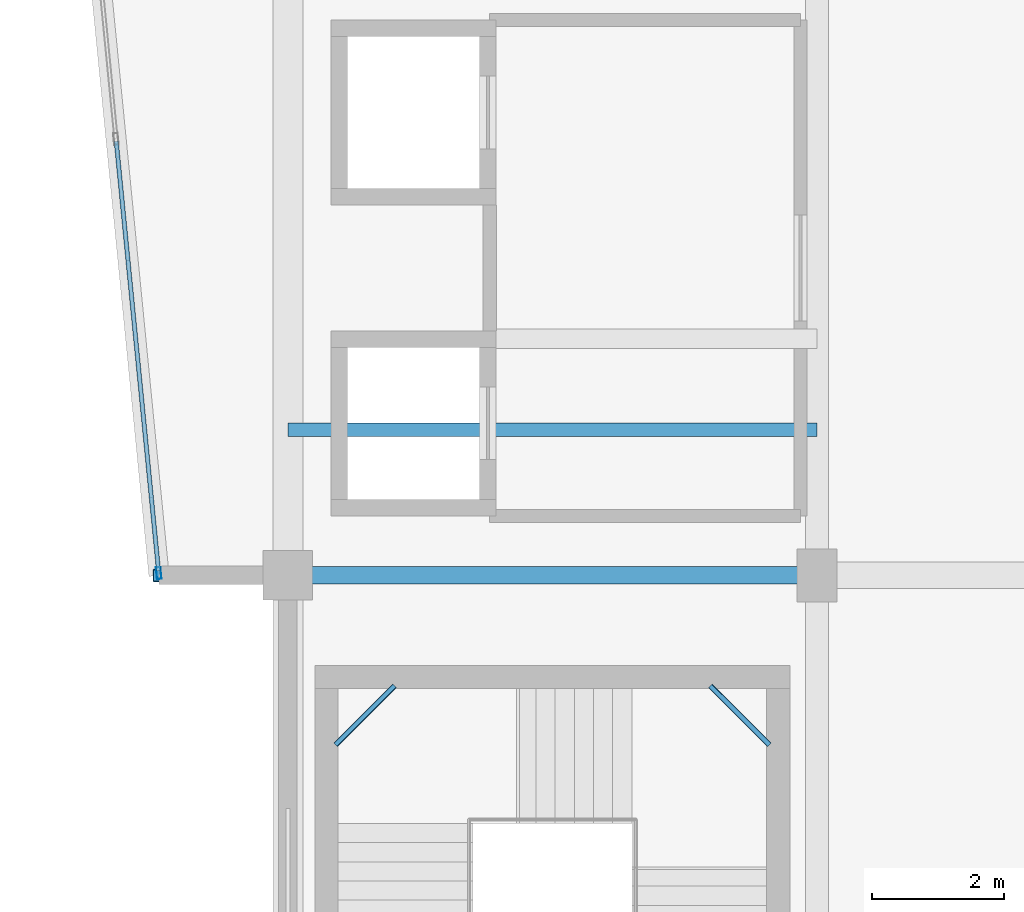
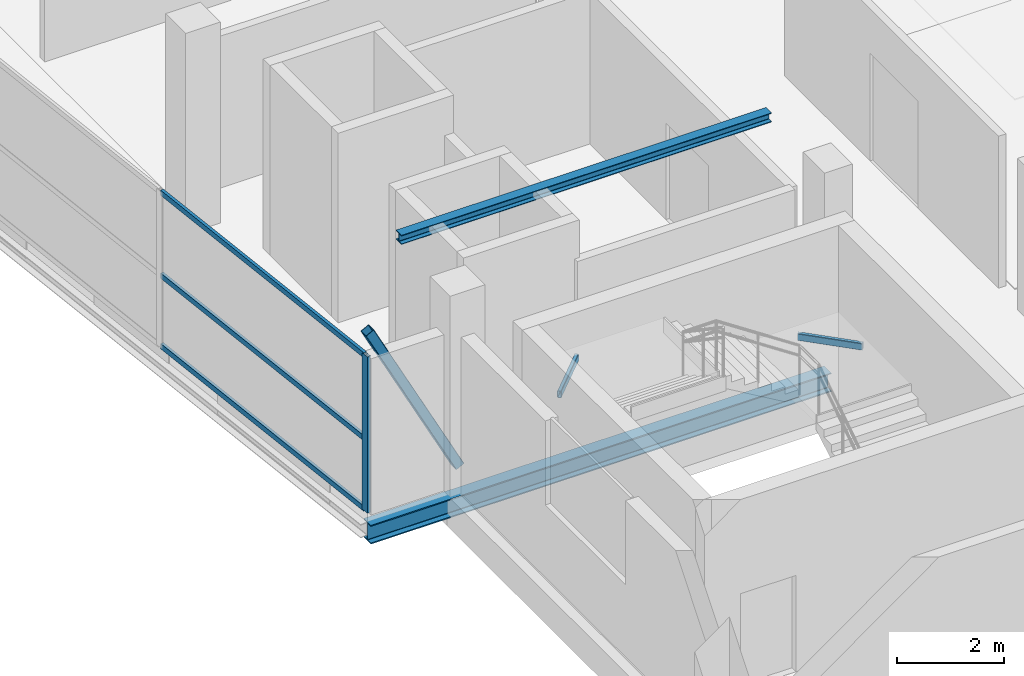
# One storey, part 6 of 49: 6 members, 3 beams, 1 element without a shape of its own.
"""IFC4 building model written with IfcOpenShell, lengths in metres."""

from ifc_helpers import new_model, si_unit, direction, frame, origin, origin_2d, place, context, subcontext, project, spatial, hollow_rectangle, i_section, extrude, material, layer, layer_set, material_profile, profile_set, type_object, element, aggregate, save


model = new_model("IFC4")

# Units and contexts
model_context = context("Model", 3, precision=1e-05, world=origin(), true_north=direction((0.0, 1.0)))
body_context = subcontext(model_context, "Body", "Model", "MODEL_VIEW")
ifc_project = project(units=[si_unit("LENGTHUNIT", "METRE"), si_unit("AREAUNIT", "SQUARE_METRE"), si_unit("VOLUMEUNIT", "CUBIC_METRE"), si_unit("PLANEANGLEUNIT", "RADIAN"), si_unit("MASSUNIT", "GRAM", prefix="KILO")], contexts=[model_context])

# Site, building, storey
site_placement = place(None, origin())
site = spatial("IfcSite", under=ifc_project, at=site_placement, CompositionType="ELEMENT")
building_placement = place(site_placement, origin())
building = spatial("IfcBuilding", under=site, at=building_placement, Name="Sillaruma Civic Art Gallery", CompositionType="ELEMENT")
storey_placement = place(building_placement, frame((0.0, 0.0, 33.14990234375)))
storey = spatial("IfcBuildingStorey", under=building, at=storey_placement, Name="L06", CompositionType="ELEMENT", Elevation=33.14990234375)

# Beams
ifc_material_1 = material(Name="Structural Steel ASTM A500 Gr.C", Category="steel")
ifc_material_profile_1 = material_profile(ifc_material_1, hollow_rectangle(XDim=0.080078125, YDim=0.159912109375, WallThickness=0.008056640625, InnerFilletRadius=0.008056640625, OuterFilletRadius=0.01611328125, at=origin_2d()), Name="HSS160x80x8")
ifc_profile_set_1 = profile_set([ifc_material_profile_1], Name="Structural Steel ASTM A500 Gr.C")
beam_type_1 = type_object("IfcBeamType", Name="BM-LND-HSS160", PredefinedType="BEAM", material=ifc_profile_set_1)
for number, where, z_axis, x_axis, name in (
    (1, (68.389892578125, 37.929931640625, 2.10009765625), (0.707203758046, -0.707009791025, 0.0), (0.707009791025, 0.707203758046, 0.0), "Stair Corner Landing Trimmer Beam (ST-03-L06-2)"),
    (2, (62.719970703125, 37.0400390625, 3.2900390625), (0.707203758046, 0.707009791025, 0.0), (-0.707009791025, 0.707203758046, 0.0), "Stair Corner Landing Trimmer Beam (ST-03-L06-3)"),
):
    element("IfcBeam", number, at=place(storey_placement, frame(where, z_axis=z_axis, x_axis=x_axis)), inside=storey, type_object=beam_type_1, Name=name, PredefinedType="BEAM", context=body_context, shape_type="SweptSolid", body=[
        extrude(hollow_rectangle(XDim=0.080078125, YDim=0.159912109375, WallThickness=0.008056640625, InnerFilletRadius=0.008056640625, OuterFilletRadius=0.01611328125, at=origin_2d()), origin(), (0.0, 0.0, 1.0), 1.2587890625),
    ])
ifc_material_2 = material(Name="Structural Steel ASTM A992 Gr.50", Category="steel")
ifc_material_profile_2 = material_profile(ifc_material_2, i_section(OverallWidth=0.264892578125, OverallDepth=0.430908203125, WebThickness=0.014892578125, FlangeThickness=0.02490234375, FilletRadius=0.012939453125, at=origin_2d()), Name="W410x149")
ifc_profile_set_2 = profile_set([ifc_material_profile_2], Name="Structural Steel ASTM A992 Gr.50")
beam_type_2 = type_object("IfcBeamType", Name="BM-PROW-W410x149", PredefinedType="BEAM", material=ifc_profile_set_2)
beam_placement = place(storey_placement, frame((70.0, 39.60009765625, -0.455322265625), z_axis=(-1.0, 0.0, 0.0), x_axis=(0.0, -1.0, 0.0)))
element("IfcBeam", 3, at=beam_placement, inside=storey, type_object=beam_type_2, Name="Back-Spanned Prow Beam (PRW-L06-W-FLR-S)", PredefinedType="BEAM", context=body_context, shape_type="SweptSolid", body=[
    extrude(i_section(OverallWidth=0.264892578125, OverallDepth=0.430908203125, WebThickness=0.014892578125, FlangeThickness=0.02490234375, FilletRadius=0.012939453125, at=origin_2d()), origin(), (0.0, 0.0, 1.0), 9.949951171875),
])

# Curtain wall, member
ifc_material_3 = material(Name="Thermally Broken Extruded Aluminium 6063-T6", Category="aluminium")
ifc_layer = layer(ifc_material_3, 0.179931640625, Name="Thermally Broken Extruded Aluminium 6063-T6")
ifc_layer_set = layer_set([ifc_layer], Name="Thermally Broken Extruded Aluminium 6063-T6")
curtain_wall_type = type_object("IfcCurtainWallType", Name="CW-UNI-41", PredefinedType="NOTDEFINED", material=ifc_layer_set)
curtain_wall_placement = place(storey_placement, origin())
curtain_wall = element("IfcCurtainWall", 4, at=curtain_wall_placement, inside=storey, type_object=curtain_wall_type, Name="Unitised Curtain Wall CW-41 (CW-PRW-L06-W-ANG)", PredefinedType="NOTDEFINED")
ifc_material_profile_3 = material_profile(ifc_material_3, hollow_rectangle(XDim=0.070068359375, YDim=0.179931640625, WallThickness=0.00390625, at=origin_2d()), Name="CWM70x180")
ifc_profile_set_3 = profile_set([ifc_material_profile_3], Name="Thermally Broken Extruded Aluminium 6063-T6")
member_type_1 = type_object("IfcMemberType", Name="MEM-MUL-CWM70x180", PredefinedType="MULLION", material=ifc_profile_set_3)
member_1_placement = place(storey_placement, frame((60.046630859375, 39.634765625, 0.0), z_axis=(0.0, 0.0, 1.0), x_axis=(0.99518536297, 0.098010679679, 0.0)))
member_1 = element("IfcMember", 5, at=member_1_placement, type_object=member_type_1, Name="CW-41 mullion 4", PredefinedType="MULLION", context=body_context, shape_type="SweptSolid", body=[
    extrude(hollow_rectangle(XDim=0.070068359375, YDim=0.179931640625, WallThickness=0.00390625, at=origin_2d()), origin(), (0.0, 0.0, 1.0), 3.570068359375),
])

# Members
ifc_material_profile_4 = material_profile(ifc_material_1, hollow_rectangle(XDim=0.199951171875, YDim=0.199951171875, WallThickness=0.010009765625, InnerFilletRadius=0.010009765625, OuterFilletRadius=0.02001953125, at=origin_2d()), Name="HSS200x200x10")
ifc_profile_set_4 = profile_set([ifc_material_profile_4], Name="Structural Steel ASTM A500 Gr.C")
member_type_2 = type_object("IfcMemberType", Name="MEM-PROW-BRACE", PredefinedType="BRACE", material=ifc_profile_set_4)
member_2_placement = place(storey_placement, frame((62.0, 39.60009765625, 0.400146484375), z_axis=(-0.462861078904, 0.0, 0.886430832968), x_axis=(0.0, -1.0, 0.0)))
element("IfcMember", 6, at=member_2_placement, inside=storey, type_object=member_type_2, Name="Deconstructivist Prow Diagonal Brace (PRW-L06-W-ROF-S)", PredefinedType="BRACE", context=body_context, shape_type="SweptSolid", body=[
    extrude(hollow_rectangle(XDim=0.199951171875, YDim=0.199951171875, WallThickness=0.010009765625, InnerFilletRadius=0.010009765625, OuterFilletRadius=0.02001953125, at=origin_2d()), origin(), (0.0, 0.0, 1.0), 4.212890625),
])
ifc_material_profile_5 = material_profile(ifc_material_2, i_section(OverallWidth=0.205078125, OverallDepth=0.2099609375, WebThickness=0.009033203125, FlangeThickness=0.01416015625, FilletRadius=0.010009765625, at=origin_2d()), Name="W200x59")
ifc_profile_set_5 = profile_set([ifc_material_profile_5], Name="Structural Steel ASTM A992 Gr.50")
member_type_3 = type_object("IfcMemberType", Name="MEM-STRINGER-W200", PredefinedType="STRINGER", material=ifc_profile_set_5)
member_3_placement = place(storey_placement, frame((62.0, 41.800048828125, 4.2451171875), z_axis=(1.0, 0.0, 0.0), x_axis=(0.0, 1.0, 0.0)))
element("IfcMember", 7, at=member_3_placement, inside=storey, type_object=member_type_3, Name="Feature Stair Floor Stringer (ST-G04)", PredefinedType="STRINGER", context=body_context, shape_type="SweptSolid", body=[
    extrude(i_section(OverallWidth=0.205078125, OverallDepth=0.2099609375, WebThickness=0.009033203125, FlangeThickness=0.01416015625, FilletRadius=0.010009765625, at=origin_2d()), origin(), (0.0, 0.0, 1.0), 8.0),
])

# Member
ifc_material_profile_6 = material_profile(ifc_material_3, hollow_rectangle(XDim=0.06494140625, YDim=0.1201171875, WallThickness=0.00341796875, at=origin_2d()), Name="CWT65x120")
ifc_profile_set_6 = profile_set([ifc_material_profile_6], Name="Thermally Broken Extruded Aluminium 6063-T6")
member_type_4 = type_object("IfcMemberType", Name="MEM-TRN-CWT65x120", PredefinedType="USERDEFINED", material=ifc_profile_set_6)
member_4_placement = place(storey_placement, frame((59.4033203125, 46.165283203125, 0.03271484375), z_axis=(0.098037060281, -0.995182764527, 0.0), x_axis=(0.995182764527, 0.098037060281, 0.0)))
member_4 = element("IfcMember", 8, at=member_4_placement, type_object=member_type_4, Name="CW-41 transom 3.1", ObjectType="TRANSOM", PredefinedType="USERDEFINED", context=body_context, shape_type="SweptSolid", body=[
    extrude(hollow_rectangle(XDim=0.06494140625, YDim=0.1201171875, WallThickness=0.00341796875, at=origin_2d()), origin(), (0.0, 0.0, 1.0), 6.527099609375),
])

member_5_placement = place(storey_placement, frame((59.4033203125, 46.165283203125, 1.642333984375), z_axis=(0.098037060281, -0.995182764527, 0.0), x_axis=(0.995182764527, 0.098037060281, 0.0)))
member_5 = element("IfcMember", 9, at=member_5_placement, type_object=member_type_4, Name="CW-41 transom 3.2", ObjectType="TRANSOM", PredefinedType="USERDEFINED", context=body_context, shape_type="SweptSolid", body=[
    extrude(hollow_rectangle(XDim=0.06494140625, YDim=0.1201171875, WallThickness=0.00341796875, at=origin_2d()), origin(), (0.0, 0.0, 1.0), 6.527099609375),
])

member_6_placement = place(storey_placement, frame((59.4033203125, 46.165283203125, 3.53759765625), z_axis=(0.098037060281, -0.995182764527, 0.0), x_axis=(0.995182764527, 0.098037060281, 0.0)))
member_6 = element("IfcMember", 10, at=member_6_placement, type_object=member_type_4, Name="CW-41 transom 3.3", ObjectType="TRANSOM", PredefinedType="USERDEFINED", context=body_context, shape_type="SweptSolid", body=[
    extrude(hollow_rectangle(XDim=0.06494140625, YDim=0.1201171875, WallThickness=0.00341796875, at=origin_2d()), origin(), (0.0, 0.0, 1.0), 6.527099609375),
])

aggregate(curtain_wall, [member_1, member_4, member_5, member_6])

save(model, "model.ifc")
